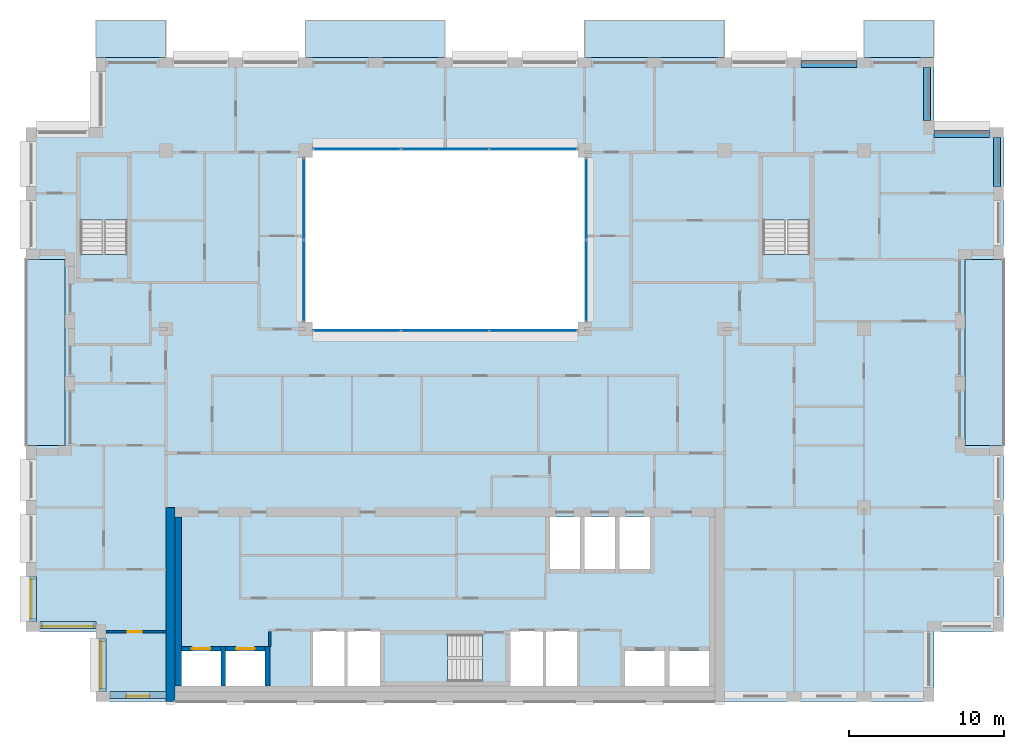
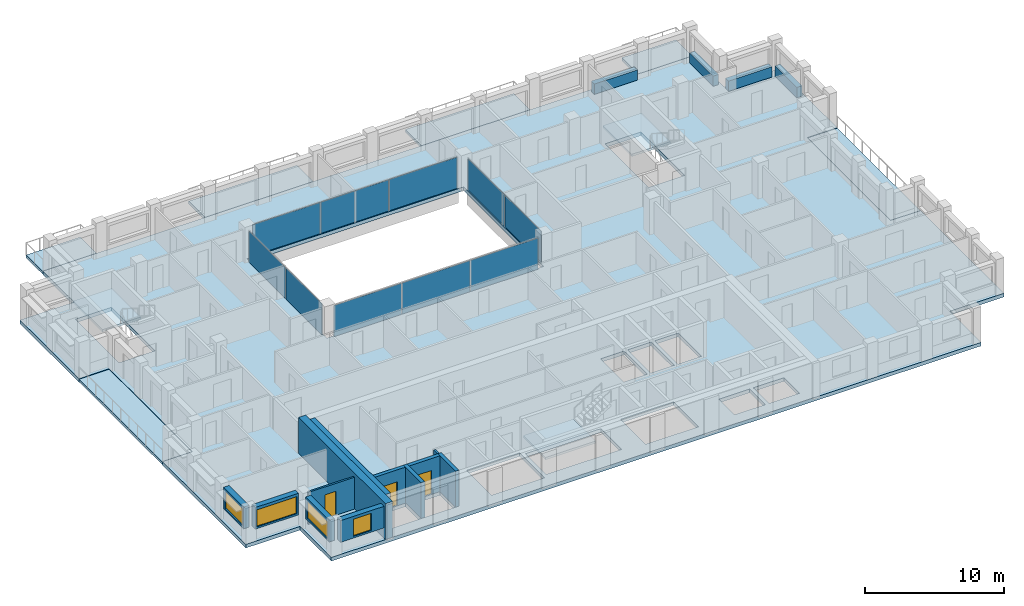
# One storey, part 7 of 15: 12 walls, 10 plates, 10 slabs, 4 beams, 4 windows, 3 doors, 7 openings, 7 elements without a shape of their own.
"""IFC4 building model written with IfcOpenShell, lengths in metres."""

from ifc_helpers import new_model, si_unit, direction, frame, frame_2d, origin, origin_2d, place, context, subcontext, project, spatial, polyline, rectangle, outline, extrude, material, layer, layer_set, material_profile, profile_set, type_object, element, fill, aggregate, save


model = new_model("IFC4")

# Units and contexts
model_context = context("Model", 3, precision=1e-05, world=origin(), true_north=direction((0.0, 1.0)))
body_context = subcontext(model_context, "Body", "Model", "MODEL_VIEW")
ifc_project = project(units=[si_unit("LENGTHUNIT", "METRE"), si_unit("AREAUNIT", "SQUARE_METRE"), si_unit("VOLUMEUNIT", "CUBIC_METRE"), si_unit("PLANEANGLEUNIT", "RADIAN"), si_unit("MASSUNIT", "GRAM", prefix="KILO")], contexts=[model_context])

# Site, building, storey
site_placement = place(None, origin())
site = spatial("IfcSite", under=ifc_project, at=site_placement, CompositionType="ELEMENT")
building_placement = place(site_placement, origin())
building = spatial("IfcBuilding", under=site, at=building_placement, Name="Brigalow Station Residences", CompositionType="ELEMENT")
storey_placement = place(building_placement, frame((0.0, 0.0, 232.64990234375)))
storey = spatial("IfcBuildingStorey", under=building, at=storey_placement, Name="L67", CompositionType="ELEMENT", Elevation=232.64990234375)

# Beams
ifc_material_1 = material(Name="Concrete C50", Category="concrete")
ifc_material_profile = material_profile(ifc_material_1, rectangle(XDim=0.449951171875, YDim=0.89990234375, at=origin_2d()), Name="RC450x900")
ifc_profile_set = profile_set([ifc_material_profile], Name="Concrete C50")
beam_type = type_object("IfcBeamType", Name="SPANDREL BEAM 450x900 C50", PredefinedType="SPANDREL", material=ifc_profile_set)
beam_1_placement = place(storey_placement, frame((71.574951171875, 33.199951171875, 0.4501953125), z_axis=(0.0, 1.0, 0.0), x_axis=(-1.0, 0.0, 0.0)))
element("IfcBeam", 1, at=beam_1_placement, inside=storey, type_object=beam_type, Name="L67/spandrel/W-L67-17", PredefinedType="SPANDREL", context=body_context, shape_type="SweptSolid", body=[
    extrude(rectangle(XDim=0.449951171875, YDim=0.89990234375, at=origin_2d()), origin(), (0.0, 0.0, 1.0), 3.150146484375),
])
beam_2_placement = place(storey_placement, frame((71.10009765625, 36.574951171875, 0.4501953125), z_axis=(-1.0, 0.0, 0.0), x_axis=(0.0, -1.0, 0.0)))
element("IfcBeam", 2, at=beam_2_placement, inside=storey, type_object=beam_type, Name="L67/spandrel/W-L67-18", PredefinedType="SPANDREL", context=body_context, shape_type="SweptSolid", body=[
    extrude(rectangle(XDim=0.449951171875, YDim=0.89990234375, at=origin_2d()), origin(), (0.0, 0.0, 1.0), 3.60009765625),
])
beam_3_placement = place(storey_placement, frame((67.074951171875, 37.449951171875, 0.4501953125), z_axis=(0.0, 1.0, 0.0), x_axis=(-1.0, 0.0, 0.0)))
element("IfcBeam", 3, at=beam_3_placement, inside=storey, type_object=beam_type, Name="L67/spandrel/W-L67-19", PredefinedType="SPANDREL", context=body_context, shape_type="SweptSolid", body=[
    extrude(rectangle(XDim=0.449951171875, YDim=0.89990234375, at=origin_2d()), origin(), (0.0, 0.0, 1.0), 3.400146484375),
])
beam_4_placement = place(storey_placement, frame((62.550048828125, 41.074951171875, 0.4501953125), z_axis=(-1.0, 0.0, 0.0), x_axis=(0.0, -1.0, 0.0)))
element("IfcBeam", 4, at=beam_4_placement, inside=storey, type_object=beam_type, Name="L67/spandrel/W-L67-21", PredefinedType="SPANDREL", context=body_context, shape_type="SweptSolid", body=[
    extrude(rectangle(XDim=0.449951171875, YDim=0.89990234375, at=origin_2d()), origin(), (0.0, 0.0, 1.0), 3.60009765625),
])

# Curtain wall, plates
ifc_material_2 = material(Name="Aluminium", Category="aluminium")
ifc_layer_1 = layer(ifc_material_2, 0.14990234375)
ifc_layer_set_1 = layer_set([ifc_layer_1], Name="ATRIUM FIRE-RATED GLAZING CURTAIN WALL")
curtain_wall_type = type_object("IfcCurtainWallType", Name="ATRIUM FIRE-RATED GLAZING CURTAIN WALL", PredefinedType="NOTDEFINED", material=ifc_layer_set_1)
curtain_wall_1_placement = place(storey_placement, origin())
curtain_wall_1 = element("IfcCurtainWall", 5, at=curtain_wall_1_placement, inside=storey, type_object=curtain_wall_type, Name="L67/cw/atrium-S", PredefinedType="NOTDEFINED")
ifc_material_3 = material(Name="Fire-resisting laminated glazing, FRL -/60/-", Category="glass")
ifc_layer_2 = layer(ifc_material_3, 0.031982421875)
ifc_layer_set_2 = layer_set([ifc_layer_2], Name="ATRIUM FIRE-RATED GLAZING PANEL 32")
plate_type = type_object("IfcPlateType", Name="ATRIUM FIRE-RATED GLAZING PANEL 32", PredefinedType="CURTAIN_PANEL", material=ifc_layer_set_2)
plate_1_placement = place(storey_placement, frame((30.31494140625, 23.89990234375, 0.0), z_axis=(0.0, 0.0, 1.0), x_axis=(1.0, 0.0, 0.0)))
plate_1 = element("IfcPlate", 6, at=plate_1_placement, type_object=plate_type, Name="L67/cw/atrium-S/P00-00", PredefinedType="CURTAIN_PANEL", context=body_context, shape_type="SweptSolid", body=[
    extrude(rectangle(XDim=5.610107421875, YDim=0.031982421875, at=origin_2d()), origin(), (0.0, 0.0, 1.0), 2.739990234375),
])
plate_2_placement = place(storey_placement, frame((36.0, 23.89990234375, 0.0), z_axis=(0.0, 0.0, 1.0), x_axis=(1.0, 0.0, 0.0)))
plate_2 = element("IfcPlate", 7, at=plate_2_placement, type_object=plate_type, Name="L67/cw/atrium-S/P01-00", PredefinedType="CURTAIN_PANEL", context=body_context, shape_type="SweptSolid", body=[
    extrude(rectangle(XDim=5.639892578125, YDim=0.031982421875, at=origin_2d()), origin(), (0.0, 0.0, 1.0), 2.739990234375),
])
plate_3_placement = place(storey_placement, frame((41.68505859375, 23.89990234375, 0.0), z_axis=(0.0, 0.0, 1.0), x_axis=(1.0, 0.0, 0.0)))
plate_3 = element("IfcPlate", 8, at=plate_3_placement, type_object=plate_type, Name="L67/cw/atrium-S/P02-00", PredefinedType="CURTAIN_PANEL", context=body_context, shape_type="SweptSolid", body=[
    extrude(rectangle(XDim=5.610107421875, YDim=0.031982421875, at=origin_2d()), origin(), (0.0, 0.0, 1.0), 2.739990234375),
])
aggregate(curtain_wall_1, [plate_1, plate_2, plate_3])

curtain_wall_2_placement = place(storey_placement, origin())
curtain_wall_2 = element("IfcCurtainWall", 9, at=curtain_wall_2_placement, inside=storey, type_object=curtain_wall_type, Name="L67/cw/atrium-E", PredefinedType="NOTDEFINED")
plate_4_placement = place(storey_placement, frame((45.10009765625, 27.114990234375, 0.0), z_axis=(0.0, 0.0, 1.0), x_axis=(0.0, 1.0, 0.0)))
plate_4 = element("IfcPlate", 10, at=plate_4_placement, type_object=plate_type, Name="L67/cw/atrium-E/P00-00", PredefinedType="CURTAIN_PANEL", context=body_context, shape_type="SweptSolid", body=[
    extrude(rectangle(XDim=5.2099609375, YDim=0.031982421875, at=origin_2d()), origin(), (0.0, 0.0, 1.0), 2.739990234375),
])
plate_5_placement = place(storey_placement, frame((45.10009765625, 32.385009765625, 0.0), z_axis=(0.0, 0.0, 1.0), x_axis=(0.0, 1.0, 0.0)))
plate_5 = element("IfcPlate", 11, at=plate_5_placement, type_object=plate_type, Name="L67/cw/atrium-E/P01-00", PredefinedType="CURTAIN_PANEL", context=body_context, shape_type="SweptSolid", body=[
    extrude(rectangle(XDim=5.2099609375, YDim=0.031982421875, at=origin_2d()), origin(), (0.0, 0.0, 1.0), 2.739990234375),
])
aggregate(curtain_wall_2, [plate_4, plate_5])

curtain_wall_3_placement = place(storey_placement, origin())
curtain_wall_3 = element("IfcCurtainWall", 12, at=curtain_wall_3_placement, inside=storey, type_object=curtain_wall_type, Name="L67/cw/atrium-N", PredefinedType="NOTDEFINED")
plate_6_placement = place(storey_placement, frame((41.68505859375, 35.60009765625, 0.0), z_axis=(0.0, 0.0, 1.0), x_axis=(-1.0, 0.0, 0.0)))
plate_6 = element("IfcPlate", 13, at=plate_6_placement, type_object=plate_type, Name="L67/cw/atrium-N/P00-00", PredefinedType="CURTAIN_PANEL", context=body_context, shape_type="SweptSolid", body=[
    extrude(rectangle(XDim=5.610107421875, YDim=0.031982421875, at=origin_2d()), origin(), (0.0, 0.0, 1.0), 2.739990234375),
])
plate_7_placement = place(storey_placement, frame((36.0, 35.60009765625, 0.0), z_axis=(0.0, 0.0, 1.0), x_axis=(-1.0, 0.0, 0.0)))
plate_7 = element("IfcPlate", 14, at=plate_7_placement, type_object=plate_type, Name="L67/cw/atrium-N/P01-00", PredefinedType="CURTAIN_PANEL", context=body_context, shape_type="SweptSolid", body=[
    extrude(rectangle(XDim=5.639892578125, YDim=0.031982421875, at=origin_2d()), origin(), (0.0, 0.0, 1.0), 2.739990234375),
])
plate_8_placement = place(storey_placement, frame((30.31494140625, 35.60009765625, 0.0), z_axis=(0.0, 0.0, 1.0), x_axis=(-1.0, 0.0, 0.0)))
plate_8 = element("IfcPlate", 15, at=plate_8_placement, type_object=plate_type, Name="L67/cw/atrium-N/P02-00", PredefinedType="CURTAIN_PANEL", context=body_context, shape_type="SweptSolid", body=[
    extrude(rectangle(XDim=5.610107421875, YDim=0.031982421875, at=origin_2d()), origin(), (0.0, 0.0, 1.0), 2.739990234375),
])
aggregate(curtain_wall_3, [plate_6, plate_7, plate_8])

curtain_wall_4_placement = place(storey_placement, origin())
curtain_wall_4 = element("IfcCurtainWall", 16, at=curtain_wall_4_placement, inside=storey, type_object=curtain_wall_type, Name="L67/cw/atrium-W", PredefinedType="NOTDEFINED")
plate_9_placement = place(storey_placement, frame((26.89990234375, 32.385009765625, 0.0), z_axis=(0.0, 0.0, 1.0), x_axis=(0.0, -1.0, 0.0)))
plate_9 = element("IfcPlate", 17, at=plate_9_placement, type_object=plate_type, Name="L67/cw/atrium-W/P00-00", PredefinedType="CURTAIN_PANEL", context=body_context, shape_type="SweptSolid", body=[
    extrude(rectangle(XDim=5.2099609375, YDim=0.031982421875, at=origin_2d()), origin(), (0.0, 0.0, 1.0), 2.739990234375),
])
plate_10_placement = place(storey_placement, frame((26.89990234375, 27.114990234375, 0.0), z_axis=(0.0, 0.0, 1.0), x_axis=(0.0, -1.0, 0.0)))
plate_10 = element("IfcPlate", 18, at=plate_10_placement, type_object=plate_type, Name="L67/cw/atrium-W/P01-00", PredefinedType="CURTAIN_PANEL", context=body_context, shape_type="SweptSolid", body=[
    extrude(rectangle(XDim=5.2099609375, YDim=0.031982421875, at=origin_2d()), origin(), (0.0, 0.0, 1.0), 2.739990234375),
])
aggregate(curtain_wall_4, [plate_9, plate_10])

# Slabs
ifc_material_4 = material(Name="Concrete C50 precast", Category="concrete")
ifc_layer_3 = layer(ifc_material_4, 0.25)
ifc_layer_set_3 = layer_set([ifc_layer_3], Name="BALCONY SLAB 250")
slab_type_1 = type_object("IfcSlabType", Name="BALCONY SLAB 250", PredefinedType="USERDEFINED", material=ifc_layer_set_3)
slab_1_placement = place(storey_placement, frame((0.0, 0.0, -0.289794921875)))
element("IfcSlab", 19, at=slab_1_placement, inside=storey, type_object=slab_type_1, Name="L67/balcony/1", ObjectType="BALCONY", PredefinedType="USERDEFINED", context=body_context, shape_type="SweptSolid", body=[
    extrude(outline(polyline([(69.5, 16.5), (72.0, 16.5), (72.0, 28.5), (69.5, 28.5), (69.5, 16.5)])), origin(), (0.0, 0.0, 1.0), 0.25),
])
slab_2_placement = place(storey_placement, frame((0.0, 0.0, -0.289794921875)))
element("IfcSlab", 20, at=slab_2_placement, inside=storey, type_object=slab_type_1, Name="L67/balcony/2", ObjectType="BALCONY", PredefinedType="USERDEFINED", context=body_context, shape_type="SweptSolid", body=[
    extrude(outline(polyline([(67.5, 41.5), (67.5, 43.89990234375), (63.0, 43.89990234375), (63.0, 41.5), (67.5, 41.5)])), origin(), (0.0, 0.0, 1.0), 0.25),
])
slab_3_placement = place(storey_placement, frame((0.0, 0.0, -0.289794921875)))
element("IfcSlab", 21, at=slab_3_placement, inside=storey, type_object=slab_type_1, Name="L67/balcony/3", ObjectType="BALCONY", PredefinedType="USERDEFINED", context=body_context, shape_type="SweptSolid", body=[
    extrude(outline(polyline([(54.0, 41.5), (54.0, 43.89990234375), (45.0, 43.89990234375), (45.0, 41.5), (54.0, 41.5)])), origin(), (0.0, 0.0, 1.0), 0.25),
])
slab_4_placement = place(storey_placement, frame((0.0, 0.0, -0.289794921875)))
element("IfcSlab", 22, at=slab_4_placement, inside=storey, type_object=slab_type_1, Name="L67/balcony/4", ObjectType="BALCONY", PredefinedType="USERDEFINED", context=body_context, shape_type="SweptSolid", body=[
    extrude(outline(polyline([(36.0, 41.5), (36.0, 43.89990234375), (27.0, 43.89990234375), (27.0, 41.5), (36.0, 41.5)])), origin(), (0.0, 0.0, 1.0), 0.25),
])
slab_5_placement = place(storey_placement, frame((0.0, 0.0, -0.289794921875)))
element("IfcSlab", 23, at=slab_5_placement, inside=storey, type_object=slab_type_1, Name="L67/balcony/5", ObjectType="BALCONY", PredefinedType="USERDEFINED", context=body_context, shape_type="SweptSolid", body=[
    extrude(outline(polyline([(18.0, 41.5), (18.0, 43.89990234375), (13.5, 43.89990234375), (13.5, 41.5), (18.0, 41.5)])), origin(), (0.0, 0.0, 1.0), 0.25),
])
slab_6_placement = place(storey_placement, frame((0.0, 0.0, -0.289794921875)))
element("IfcSlab", 24, at=slab_6_placement, inside=storey, type_object=slab_type_1, Name="L67/balcony/6", ObjectType="BALCONY", PredefinedType="USERDEFINED", context=body_context, shape_type="SweptSolid", body=[
    extrude(outline(polyline([(11.5, 28.5), (9.0, 28.5), (9.0, 16.5), (11.5, 16.5), (11.5, 28.5)])), origin(), (0.0, 0.0, 1.0), 0.25),
])
ifc_material_5 = material(Name="Concrete C50", Category="concrete")
ifc_layer_4 = layer(ifc_material_5, 0.320068359375)
ifc_layer_set_4 = layer_set([ifc_layer_4], Name="POST-TENSIONED FLAT PLATE 320 C50")
slab_type_2 = type_object("IfcSlabType", Name="POST-TENSIONED FLAT PLATE 320 C50", PredefinedType="FLOOR", material=ifc_layer_set_4)
slab_7_placement = place(storey_placement, frame((0.0, 0.0, -0.31982421875)))
element("IfcSlab", 25, at=slab_7_placement, inside=storey, type_object=slab_type_2, Name="FLOOR SLAB L67", PredefinedType="FLOOR", context=body_context, shape_type="SweptSolid", body=[
    extrude(outline(polyline([(13.5, 0.0), (67.5, 0.0), (67.5, 4.5), (72.0, 4.5), (72.0, 16.5), (69.5, 16.5), (69.5, 28.5), (72.0, 28.5), (72.0, 37.0), (67.5, 37.0), (67.5, 41.5), (13.5, 41.5), (13.5, 37.0), (9.0, 37.0), (9.0, 28.5), (11.5, 28.5), (11.5, 16.5), (9.0, 16.5), (9.0, 4.5), (13.5, 4.5), (13.5, 0.0)]), holes=[polyline([(12.5048828125, 35.094970703125), (15.4951171875, 35.094970703125), (15.4951171875, 28.804931640625), (12.5048828125, 28.804931640625), (12.5048828125, 35.094970703125)]), polyline([(19.0, 1.0), (19.0, 3.25), (21.550048828125, 3.25), (21.550048828125, 1.0), (19.0, 1.0)]), polyline([(21.85009765625, 3.25), (24.39990234375, 3.25), (24.39990234375, 1.0), (21.85009765625, 1.0), (21.85009765625, 3.25)]), polyline([(27.0, 35.5), (45.0, 35.5), (45.0, 24.0), (27.0, 24.0), (27.0, 35.5)]), polyline([(29.60009765625, 4.60009765625), (31.800048828125, 4.60009765625), (31.800048828125, 1.0), (29.60009765625, 1.0), (27.39990234375, 1.0), (27.39990234375, 4.60009765625), (29.60009765625, 4.60009765625)]), polyline([(32.10498046875, 4.294921875), (38.39501953125, 4.294921875), (38.39501953125, 1.304931640625), (32.10498046875, 1.304931640625), (32.10498046875, 4.294921875)]), polyline([(40.199951171875, 4.60009765625), (42.39990234375, 4.60009765625), (44.60009765625, 4.60009765625), (44.60009765625, 1.0), (42.39990234375, 1.0), (40.199951171875, 1.0), (40.199951171875, 4.60009765625)]), polyline([(42.75, 11.89990234375), (44.699951171875, 11.89990234375), (44.699951171875, 8.550048828125), (42.75, 8.550048828125), (42.75, 11.89990234375)]), polyline([(45.0, 11.89990234375), (46.949951171875, 11.89990234375), (46.949951171875, 8.550048828125), (45.0, 8.550048828125), (45.0, 11.89990234375)]), polyline([(47.25, 11.89990234375), (49.199951171875, 11.89990234375), (49.199951171875, 8.550048828125), (47.25, 8.550048828125), (47.25, 11.89990234375)]), polyline([(47.60009765625, 3.25), (50.14990234375, 3.25), (50.14990234375, 1.0), (47.60009765625, 1.0), (47.60009765625, 3.25)]), polyline([(50.449951171875, 3.25), (53.0, 3.25), (53.0, 1.0), (50.449951171875, 1.0), (50.449951171875, 3.25)]), polyline([(56.5048828125, 35.094970703125), (59.4951171875, 35.094970703125), (59.4951171875, 28.804931640625), (56.5048828125, 28.804931640625), (56.5048828125, 35.094970703125)])]), origin(), (0.0, 0.0, 1.0), 0.31982421875),
])

# Stair, slab
ifc_material_6 = material(Name="Concrete C50", Category="concrete")
stair_type = type_object("IfcStairType", Name="EXIT STAIR 1400 2 FLIGHT", PredefinedType="HALF_TURN_STAIR", material=ifc_material_6)
stair_1_placement = place(storey_placement, origin())
stair_1 = element("IfcStair", 26, at=stair_1_placement, inside=storey, type_object=stair_type, Name="EXIT STAIR S2 L67", PredefinedType="HALF_TURN_STAIR")
ifc_material_7 = material(Name="Concrete C50", Category="concrete")
ifc_layer_5 = layer(ifc_material_7, 0.199951171875)
ifc_layer_set_5 = layer_set([ifc_layer_5], Name="STAIR LANDING 200")
slab_type_3 = type_object("IfcSlabType", Name="STAIR LANDING 200", PredefinedType="LANDING", material=ifc_layer_set_5)
slab_8_placement = place(storey_placement, frame((0.0, 0.0, 1.375)))
slab_8 = element("IfcSlab", 27, at=slab_8_placement, type_object=slab_type_3, Name="ST-2 landing 1", PredefinedType="LANDING", context=body_context, shape_type="SweptSolid", body=[
    extrude(outline(polyline([(32.0, 1.199951171875), (36.159912109375, 1.199951171875), (36.159912109375, 4.39990234375), (32.0, 4.39990234375), (32.0, 1.199951171875)])), origin(), (0.0, 0.0, 1.0), 0.2001953125),
])
aggregate(stair_1, [slab_8])

stair_2_placement = place(storey_placement, origin())
stair_2 = element("IfcStair", 28, at=stair_2_placement, inside=storey, type_object=stair_type, Name="EXIT STAIR S1 L67", PredefinedType="HALF_TURN_STAIR")
slab_9_placement = place(storey_placement, frame((0.0, 0.0, 1.375)))
slab_9 = element("IfcSlab", 29, at=slab_9_placement, type_object=slab_type_3, Name="ST-1 landing 1", PredefinedType="LANDING", context=body_context, shape_type="SweptSolid", body=[
    extrude(outline(polyline([(12.39990234375, 31.0400390625), (15.60009765625, 31.0400390625), (15.60009765625, 35.199951171875), (12.39990234375, 35.199951171875), (12.39990234375, 31.0400390625)])), origin(), (0.0, 0.0, 1.0), 0.2001953125),
])
aggregate(stair_2, [slab_9])

stair_3_placement = place(storey_placement, origin())
stair_3 = element("IfcStair", 30, at=stair_3_placement, inside=storey, type_object=stair_type, Name="EXIT STAIR S3 L67", PredefinedType="HALF_TURN_STAIR")
slab_10_placement = place(storey_placement, frame((0.0, 0.0, 1.375)))
slab_10 = element("IfcSlab", 31, at=slab_10_placement, type_object=slab_type_3, Name="ST-3 landing 1", PredefinedType="LANDING", context=body_context, shape_type="SweptSolid", body=[
    extrude(outline(polyline([(56.39990234375, 31.0400390625), (59.60009765625, 31.0400390625), (59.60009765625, 35.199951171875), (56.39990234375, 35.199951171875), (56.39990234375, 31.0400390625)])), origin(), (0.0, 0.0, 1.0), 0.2001953125),
])
aggregate(stair_3, [slab_10])

# Wall, opening, window
ifc_material_8 = material(Name="Clay brick masonry", Category="masonry")
ifc_layer_6 = layer(ifc_material_8, 0.449951171875)
ifc_layer_set_6 = layer_set([ifc_layer_6], Name="BRICK INFILL WALL 450")
wall_type_1 = type_object("IfcWallType", Name="BRICK INFILL WALL 450", PredefinedType="SOLIDWALL", material=ifc_layer_set_6)
wall_1_placement = place(storey_placement, frame((14.39990234375, 0.425048828125, 0.900146484375), z_axis=(0.0, 0.0, 1.0), x_axis=(1.0, 0.0, 0.0)))
wall_1 = element("IfcWall", 32, at=wall_1_placement, inside=storey, type_object=wall_type_1, Name="L67/ewall/W-L67-1", PredefinedType="SOLIDWALL", context=body_context, shape_type="SweptSolid", body=[
    extrude(rectangle(XDim=3.60009765625, YDim=0.449951171875, at=frame_2d((1.800048828125, 0.0))), origin(), (0.0, 0.0, 1.0), 1.89990234375),
])
opening_1_placement = place(wall_1_placement, frame((1.050048828125, 0.0, 0.14990234375)))
opening_1 = element("IfcOpeningElement", 33, at=opening_1_placement, cuts=wall_1, Name="Opening WT-1", PredefinedType="OPENING", context=body_context, shape_type="SweptSolid", body=[
    extrude(rectangle(XDim=1.5, YDim=1.5, at=frame_2d((0.75, 0.75))), frame((0.0, 0.23486328125, 0.0), z_axis=(0.0, -1.0, 0.0), x_axis=(1.0, 0.0, 0.0)), (0.0, 0.0, 1.0), 0.469970703125),
])
ifc_material_9 = material(Name="Anodised aluminium frame with double glazing", Category="aluminium")
window_type_1 = type_object("IfcWindowType", Name="WINDOW 1500x1500", PartitioningType="SINGLE_PANEL", PredefinedType="WINDOW", material=ifc_material_9)
window_1_placement = place(opening_1_placement, origin())
window_1 = element("IfcWindow", 34, at=window_1_placement, inside=storey, type_object=window_type_1, Name="L67/window/W-L67-1", OverallHeight=1.5, OverallWidth=1.5, PartitioningType="SINGLE_PANEL", PredefinedType="WINDOW", context=body_context, shape_type="SweptSolid", body=[
    extrude(rectangle(XDim=1.5, YDim=1.5, at=frame_2d((0.75, 0.75))), frame((0.0, -0.06494140625, 0.0), z_axis=(0.0, -1.0, 0.0), x_axis=(1.0, 0.0, 0.0)), (0.0, 0.0, 1.0), 0.06005859375),
])
fill(opening_1, window_1)

wall_2_placement = place(storey_placement, frame((9.425048828125, 8.050048828125, 0.900146484375), z_axis=(0.0, 0.0, 1.0), x_axis=(0.0, -1.0, 0.0)))
wall_2 = element("IfcWall", 35, at=wall_2_placement, inside=storey, type_object=wall_type_1, Name="L67/ewall/W-L67-43", PredefinedType="SOLIDWALL", context=body_context, shape_type="SweptSolid", body=[
    extrude(rectangle(XDim=2.900146484375, YDim=0.449951171875, at=frame_2d((1.4501953125, 0.0))), origin(), (0.0, 0.0, 1.0), 1.89990234375),
])
opening_2_placement = place(wall_2_placement, frame((0.199951171875, 0.0, 0.14990234375)))
opening_2 = element("IfcOpeningElement", 36, at=opening_2_placement, cuts=wall_2, Name="Opening WT-5", PredefinedType="OPENING", context=body_context, shape_type="SweptSolid", body=[
    extrude(rectangle(XDim=2.5, YDim=1.5, at=frame_2d((1.25, 0.75))), frame((0.0, 0.23486328125, 0.0), z_axis=(0.0, -1.0, 0.0), x_axis=(1.0, 0.0, 0.0)), (0.0, 0.0, 1.0), 0.469970703125),
])
ifc_material_10 = material(Name="Anodised aluminium frame with double glazing", Category="aluminium")
window_type_2 = type_object("IfcWindowType", Name="WINDOW 2500x1500", PartitioningType="SINGLE_PANEL", PredefinedType="WINDOW", material=ifc_material_10)
window_2_placement = place(opening_2_placement, origin())
window_2 = element("IfcWindow", 37, at=window_2_placement, inside=storey, type_object=window_type_2, Name="L67/window/W-L67-43", OverallHeight=1.5, OverallWidth=2.5, PartitioningType="SINGLE_PANEL", PredefinedType="WINDOW", context=body_context, shape_type="SweptSolid", body=[
    extrude(rectangle(XDim=2.5, YDim=1.5, at=frame_2d((1.25, 0.75))), frame((0.0, -0.06494140625, 0.0), z_axis=(0.0, -1.0, 0.0), x_axis=(1.0, 0.0, 0.0)), (0.0, 0.0, 1.0), 0.06005859375),
])
fill(opening_2, window_2)

wall_3_placement = place(storey_placement, frame((9.89990234375, 4.925048828125, 0.900146484375), z_axis=(0.0, 0.0, 1.0), x_axis=(1.0, 0.0, 0.0)))
wall_3 = element("IfcWall", 38, at=wall_3_placement, inside=storey, type_object=wall_type_1, Name="L67/ewall/W-L67-44", PredefinedType="SOLIDWALL", context=body_context, shape_type="SweptSolid", body=[
    extrude(rectangle(XDim=3.60009765625, YDim=0.449951171875, at=frame_2d((1.800048828125, 0.0))), origin(), (0.0, 0.0, 1.0), 1.89990234375),
])
opening_3_placement = place(wall_3_placement, frame((0.14990234375, 0.0, 0.14990234375)))
opening_3 = element("IfcOpeningElement", 39, at=opening_3_placement, cuts=wall_3, Name="Opening WT-10", PredefinedType="OPENING", context=body_context, shape_type="SweptSolid", body=[
    extrude(rectangle(XDim=3.300048828125, YDim=1.5, at=frame_2d((1.64990234375, 0.75))), frame((0.0, 0.23486328125, 0.0), z_axis=(0.0, -1.0, 0.0), x_axis=(1.0, 0.0, 0.0)), (0.0, 0.0, 1.0), 0.469970703125),
])
ifc_material_11 = material(Name="Anodised aluminium frame with double glazing", Category="aluminium")
window_type_3 = type_object("IfcWindowType", Name="WINDOW 3300x1500", PartitioningType="SINGLE_PANEL", PredefinedType="WINDOW", material=ifc_material_11)
window_3_placement = place(opening_3_placement, origin())
window_3 = element("IfcWindow", 40, at=window_3_placement, inside=storey, type_object=window_type_3, Name="L67/window/W-L67-44", OverallHeight=1.5, OverallWidth=3.300048828125, PartitioningType="SINGLE_PANEL", PredefinedType="WINDOW", context=body_context, shape_type="SweptSolid", body=[
    extrude(rectangle(XDim=3.300048828125, YDim=1.5, at=frame_2d((1.64990234375, 0.75))), frame((0.0, -0.06494140625, 0.0), z_axis=(0.0, -1.0, 0.0), x_axis=(1.0, 0.0, 0.0)), (0.0, 0.0, 1.0), 0.06005859375),
])
fill(opening_3, window_3)

wall_4_placement = place(storey_placement, frame((13.925048828125, 4.050048828125, 0.900146484375), z_axis=(0.0, 0.0, 1.0), x_axis=(0.0, -1.0, 0.0)))
wall_4 = element("IfcWall", 41, at=wall_4_placement, inside=storey, type_object=wall_type_1, Name="L67/ewall/W-L67-45", PredefinedType="SOLIDWALL", context=body_context, shape_type="SweptSolid", body=[
    extrude(rectangle(XDim=3.400146484375, YDim=0.449951171875, at=frame_2d((1.7001953125, 0.0))), origin(), (0.0, 0.0, 1.0), 1.89990234375),
])
opening_4_placement = place(wall_4_placement, frame((0.199951171875, 0.0, 0.14990234375)))
opening_4 = element("IfcOpeningElement", 42, at=opening_4_placement, cuts=wall_4, Name="Opening WT-2", PredefinedType="OPENING", context=body_context, shape_type="SweptSolid", body=[
    extrude(rectangle(XDim=3.0, YDim=1.5, at=frame_2d((1.5, 0.75))), frame((0.0, 0.23486328125, 0.0), z_axis=(0.0, -1.0, 0.0), x_axis=(1.0, 0.0, 0.0)), (0.0, 0.0, 1.0), 0.469970703125),
])
ifc_material_12 = material(Name="Anodised aluminium frame with double glazing", Category="aluminium")
window_type_4 = type_object("IfcWindowType", Name="WINDOW 3000x1500", PartitioningType="SINGLE_PANEL", PredefinedType="WINDOW", material=ifc_material_12)
window_4_placement = place(opening_4_placement, origin())
window_4 = element("IfcWindow", 43, at=window_4_placement, inside=storey, type_object=window_type_4, Name="L67/window/W-L67-45", OverallHeight=1.5, OverallWidth=3.0, PartitioningType="SINGLE_PANEL", PredefinedType="WINDOW", context=body_context, shape_type="SweptSolid", body=[
    extrude(rectangle(XDim=3.0, YDim=1.5, at=frame_2d((1.5, 0.75))), frame((0.0, -0.06494140625, 0.0), z_axis=(0.0, -1.0, 0.0), x_axis=(1.0, 0.0, 0.0)), (0.0, 0.0, 1.0), 0.06005859375),
])
fill(opening_4, window_4)

# Wall, opening, door
ifc_material_13 = material(Name="Concrete C50", Category="concrete")
ifc_layer_7 = layer(ifc_material_13, 0.300048828125)
ifc_layer_set_7 = layer_set([ifc_layer_7], Name="CORE SHEAR WALL 300 C50")
wall_type_2 = type_object("IfcWallType", Name="CORE SHEAR WALL 300 C50", PredefinedType="SHEAR", material=ifc_layer_set_7)
wall_5_placement = place(storey_placement, frame((19.0, 3.39990234375, 0.0), z_axis=(0.0, 0.0, 1.0), x_axis=(1.0, 0.0, 0.0)))
wall_5 = element("IfcWall", 44, at=wall_5_placement, inside=storey, type_object=wall_type_2, Name="CORE WALL SH-C1-N L67", PredefinedType="SHEAR", context=body_context, shape_type="SweptSolid", body=[
    extrude(rectangle(XDim=2.550048828125, YDim=0.300048828125, at=frame_2d((1.27490234375, 0.0))), origin(), (0.0, 0.0, 1.0), 3.150146484375),
])
opening_5_placement = place(wall_5_placement, frame((0.675048828125, 0.0, 0.0)))
opening_5 = element("IfcOpeningElement", 45, at=opening_5_placement, cuts=wall_5, Name="Opening LD-LB1", PredefinedType="OPENING", context=body_context, shape_type="SweptSolid", body=[
    extrude(rectangle(XDim=1.199951171875, YDim=2.10009765625, at=frame_2d((0.60009765625, 1.050048828125))), frame((0.0, 0.16015625, 0.0), z_axis=(0.0, -1.0, 0.0), x_axis=(1.0, 0.0, 0.0)), (0.0, 0.0, 1.0), 0.320068359375),
])
ifc_material_14 = material(Name="Stainless steel sliding door leaves", Category="steel")
door_type_1 = type_object("IfcDoorType", Name="LIFT LANDING DOOR 1200 x 2100", OperationType="DOUBLE_DOOR_SLIDING", PredefinedType="DOOR", material=ifc_material_14)
door_1_placement = place(opening_5_placement, origin())
door_1 = element("IfcDoor", 46, at=door_1_placement, inside=storey, type_object=door_type_1, Name="LANDING DOOR LB1", OperationType="DOUBLE_DOOR_SLIDING", OverallHeight=2.10009765625, OverallWidth=1.199951171875, PredefinedType="DOOR", context=body_context, shape_type="SweptSolid", body=[
    extrude(rectangle(XDim=1.199951171875, YDim=2.10009765625, at=frame_2d((0.60009765625, 1.050048828125))), frame((0.0, 0.02490234375, 0.0), z_axis=(0.0, -1.0, 0.0), x_axis=(1.0, 0.0, 0.0)), (0.0, 0.0, 1.0), 0.050048828125),
])
fill(opening_5, door_1)

wall_6_placement = place(storey_placement, frame((21.85009765625, 3.39990234375, 0.0), z_axis=(0.0, 0.0, 1.0), x_axis=(1.0, 0.0, 0.0)))
wall_6 = element("IfcWall", 47, at=wall_6_placement, inside=storey, type_object=wall_type_2, Name="CORE WALL SH-C2-N L67", PredefinedType="SHEAR", context=body_context, shape_type="SweptSolid", body=[
    extrude(rectangle(XDim=2.5498046875, YDim=0.300048828125, at=frame_2d((1.27490234375, 0.0))), origin(), (0.0, 0.0, 1.0), 3.150146484375),
])
opening_6_placement = place(wall_6_placement, frame((0.675048828125, 0.0, 0.0)))
opening_6 = element("IfcOpeningElement", 48, at=opening_6_placement, cuts=wall_6, Name="Opening LD-LB2", PredefinedType="OPENING", context=body_context, shape_type="SweptSolid", body=[
    extrude(rectangle(XDim=1.199951171875, YDim=2.10009765625, at=frame_2d((0.60009765625, 1.050048828125))), frame((0.0, 0.16015625, 0.0), z_axis=(0.0, -1.0, 0.0), x_axis=(1.0, 0.0, 0.0)), (0.0, 0.0, 1.0), 0.320068359375),
])
door_2_placement = place(opening_6_placement, origin())
door_2 = element("IfcDoor", 49, at=door_2_placement, inside=storey, type_object=door_type_1, Name="LANDING DOOR LB2", OperationType="DOUBLE_DOOR_SLIDING", OverallHeight=2.10009765625, OverallWidth=1.199951171875, PredefinedType="DOOR", context=body_context, shape_type="SweptSolid", body=[
    extrude(rectangle(XDim=1.199951171875, YDim=2.10009765625, at=frame_2d((0.60009765625, 1.050048828125))), frame((0.0, 0.02490234375, 0.0), z_axis=(0.0, -1.0, 0.0), x_axis=(1.0, 0.0, 0.0)), (0.0, 0.0, 1.0), 0.050048828125),
])
fill(opening_6, door_2)

# Walls
for number, where, z_axis, x_axis, name in (
    (50, (21.699951171875, 1.0, 0.0), (0.0, 0.0, 1.0), (0.0, 1.0, 0.0), "CORE WALL SH-C2-W L67"),
    (51, (24.550048828125, 1.0, 0.0), (0.0, 0.0, 1.0), (0.0, 1.0, 0.0), "CORE WALL SH-C2-E L67"),
):
    element("IfcWall", number, at=place(storey_placement, frame(where, z_axis=z_axis, x_axis=x_axis)), inside=storey, type_object=wall_type_2, Name=name, PredefinedType="SHEAR", context=body_context, shape_type="SweptSolid", body=[
        extrude(rectangle(XDim=2.550048828125, YDim=0.300048828125, at=frame_2d((1.27490234375, 0.0))), origin(), (0.0, 0.0, 1.0), 3.150146484375),
    ])
ifc_material_15 = material(Name="Concrete C50", Category="concrete")
ifc_layer_8 = layer(ifc_material_15, 0.39990234375)
ifc_layer_set_8 = layer_set([ifc_layer_8], Name="CORE SHEAR WALL 400 C50")
wall_type_3 = type_object("IfcWallType", Name="CORE SHEAR WALL 400 C50", PredefinedType="SHEAR", material=ifc_layer_set_8)
wall_7_placement = place(storey_placement, frame((18.800048828125, 1.0, 0.0), z_axis=(0.0, 0.0, 1.0), x_axis=(0.0, 1.0, 0.0)))
element("IfcWall", 52, at=wall_7_placement, inside=storey, type_object=wall_type_3, Name="CORE WALL LIN-W L67", PredefinedType="SHEAR", context=body_context, shape_type="SweptSolid", body=[
    extrude(rectangle(XDim=10.89990234375, YDim=0.39990234375, at=frame_2d((5.449951171875, 0.0))), origin(), (0.0, 0.0, 1.0), 3.150146484375),
])
ifc_material_16 = material(Name="Concrete C50", Category="concrete")
ifc_layer_9 = layer(ifc_material_16, 0.60009765625)
ifc_layer_set_9 = layer_set([ifc_layer_9], Name="CORE SHEAR WALL 600 C50")
wall_type_4 = type_object("IfcWallType", Name="CORE SHEAR WALL 600 C50", PredefinedType="SHEAR", material=ifc_layer_set_9)
wall_8_placement = place(storey_placement, frame((18.300048828125, 0.0, 0.0), z_axis=(0.0, 0.0, 1.0), x_axis=(0.0, 1.0, 0.0)))
element("IfcWall", 53, at=wall_8_placement, inside=storey, type_object=wall_type_4, Name="CORE WALL OUT-W L67", PredefinedType="SHEAR", context=body_context, shape_type="SweptSolid", body=[
    extrude(rectangle(XDim=12.5, YDim=0.60009765625, at=frame_2d((6.25, 0.0))), origin(), (0.0, 0.0, 1.0), 3.150146484375),
])

# Wall, opening, door
ifc_material_17 = material(Name="Plasterboard on steel stud partition", Category="steel")
ifc_layer_10 = layer(ifc_material_17, 0.14990234375)
ifc_layer_set_10 = layer_set([ifc_layer_10], Name="FLAT PARTITION 150")
wall_type_5 = type_object("IfcWallType", Name="FLAT PARTITION 150", PredefinedType="PARTITIONING", material=ifc_layer_set_10)
wall_9_placement = place(storey_placement, frame((14.14990234375, 4.5, 0.0), z_axis=(0.0, 0.0, 1.0), x_axis=(1.0, 0.0, 0.0)))
wall_9 = element("IfcWall", 54, at=wall_9_placement, inside=storey, type_object=wall_type_5, Name="PW-4E15", PredefinedType="PARTITIONING", context=body_context, shape_type="SweptSolid", body=[
    extrude(rectangle(XDim=3.85009765625, YDim=0.14990234375, at=frame_2d((1.925048828125, 0.0))), origin(), (0.0, 0.0, 1.0), 2.800048828125),
])
opening_7_placement = place(wall_9_placement, frame((1.39990234375, 0.0, 0.0)))
opening_7 = element("IfcOpeningElement", 55, at=opening_7_placement, cuts=wall_9, Name="Opening D-4E10", PredefinedType="OPENING", context=body_context, shape_type="SweptSolid", body=[
    extrude(rectangle(XDim=0.89990234375, YDim=2.10009765625, at=frame_2d((0.449951171875, 1.050048828125))), frame((0.0, 0.0849609375, 0.0), z_axis=(0.0, -1.0, 0.0), x_axis=(1.0, 0.0, 0.0)), (0.0, 0.0, 1.0), 0.169921875),
])
ifc_material_18 = material(Name="Solid-core timber door leaf", Category="wood")
door_type_2 = type_object("IfcDoorType", Name="INTERNAL DOOR 900 x 2100", OperationType="SINGLE_SWING_LEFT", PredefinedType="DOOR", material=ifc_material_18)
door_3_placement = place(opening_7_placement, frame((0.89990234375, 0.0, 0.0), z_axis=(0.0, 0.0, 1.0), x_axis=(-1.0, 0.0, 0.0)))
door_3 = element("IfcDoor", 56, at=door_3_placement, inside=storey, type_object=door_type_2, Name="D-4E10", OperationType="SINGLE_SWING_RIGHT", OverallHeight=2.10009765625, OverallWidth=0.89990234375, PredefinedType="DOOR", context=body_context, shape_type="SweptSolid", body=[
    extrude(rectangle(XDim=0.89990234375, YDim=2.10009765625, at=frame_2d((0.449951171875, 1.050048828125))), frame((0.0, 0.02490234375, 0.0), z_axis=(0.0, -1.0, 0.0), x_axis=(1.0, 0.0, 0.0)), (0.0, 0.0, 1.0), 0.050048828125),
])
fill(opening_7, door_3)

# Wall
ifc_material_19 = material(Name="Plasterboard on steel studs", Category="steel")
ifc_layer_11 = layer(ifc_material_19, 0.14990234375)
ifc_layer_set_11 = layer_set([ifc_layer_11], Name="SERVICE ROOM PARTITION 150")
wall_type_6 = type_object("IfcWallType", Name="SERVICE ROOM PARTITION 150", PredefinedType="PARTITIONING", material=ifc_layer_set_11)
wall_10_placement = place(storey_placement, frame((24.699951171875, 3.550048828125, 0.0), z_axis=(0.0, 0.0, 1.0), x_axis=(0.0, 1.0, 0.0)))
element("IfcWall", 57, at=wall_10_placement, inside=storey, type_object=wall_type_6, Name="PW-5157", PredefinedType="PARTITIONING", context=body_context, shape_type="SweptSolid", body=[
    extrude(rectangle(XDim=0.974853515625, YDim=0.14990234375, at=frame_2d((0.4873046875, 0.0))), origin(), (0.0, 0.0, 1.0), 2.800048828125),
])

save(model, "model.ifc")
